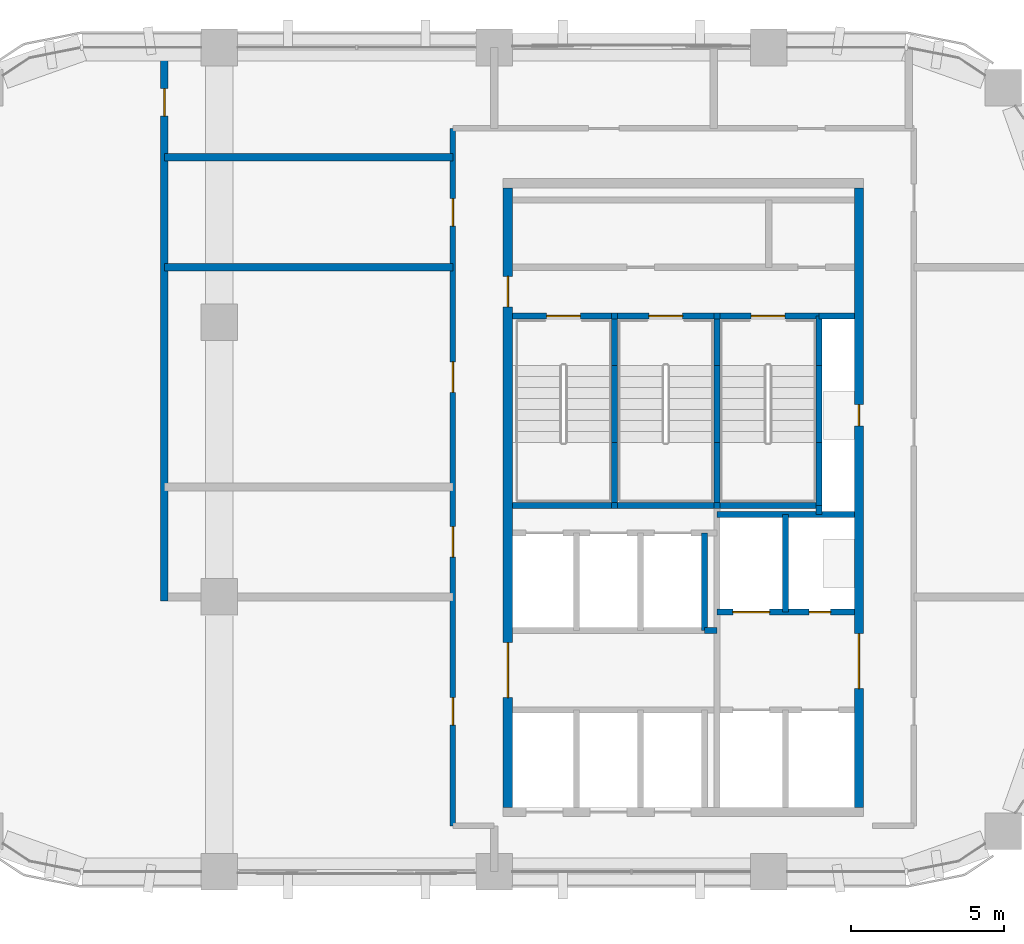
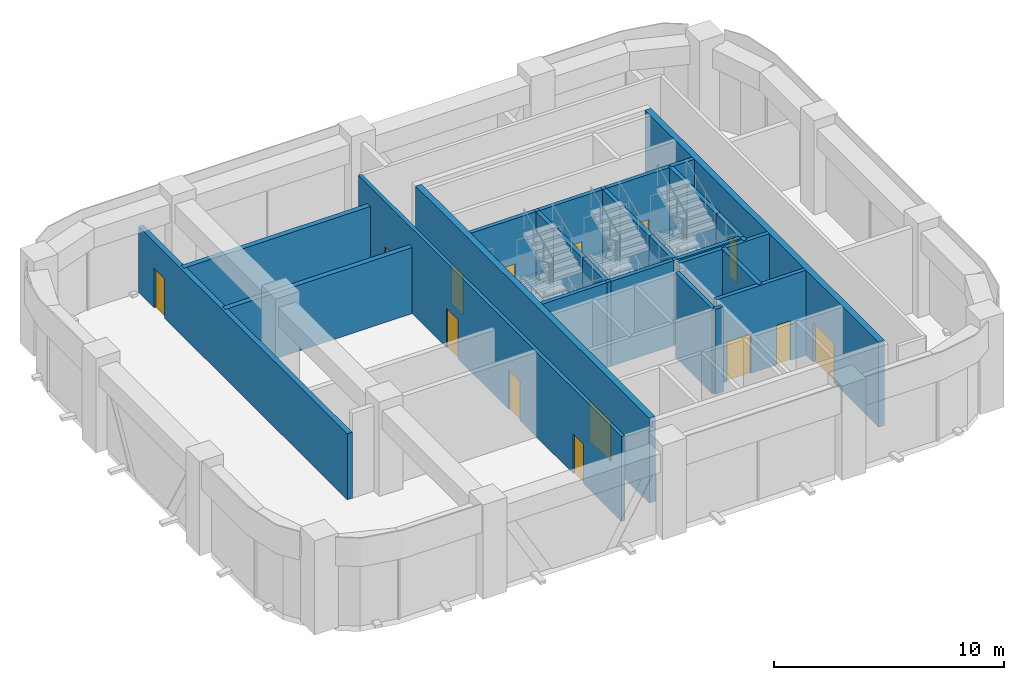
# One storey, part 8 of 11: 32 walls, 14 doors, 14 openings.
"""IFC4 building model written with IfcOpenShell, lengths in metres."""

from ifc_helpers import new_model, si_unit, direction, frame, frame_2d, origin, place, context, subcontext, project, spatial, rectangle, extrude, material, layer, layer_set, type_object, element, fill, save


model = new_model("IFC4")

# Units and contexts
model_context = context("Model", 3, precision=1e-05, world=origin(), true_north=direction((0.0, 1.0)))
body_context = subcontext(model_context, "Body", "Model", "MODEL_VIEW")
ifc_project = project(units=[si_unit("LENGTHUNIT", "METRE"), si_unit("AREAUNIT", "SQUARE_METRE"), si_unit("VOLUMEUNIT", "CUBIC_METRE"), si_unit("PLANEANGLEUNIT", "RADIAN"), si_unit("MASSUNIT", "GRAM", prefix="KILO")], contexts=[model_context])

# Site, building, storey
site_placement = place(None, origin())
site = spatial("IfcSite", under=ifc_project, at=site_placement, CompositionType="ELEMENT")
building_placement = place(site_placement, origin())
building = spatial("IfcBuilding", under=site, at=building_placement, Name="Tessera Arch", CompositionType="ELEMENT")
storey_placement = place(building_placement, frame((0.0, 0.0, 290.199951171875)))
storey = spatial("IfcBuildingStorey", under=building, at=storey_placement, Name="L70", CompositionType="ELEMENT", Elevation=290.199951171875)

# Wall
ifc_material_1 = material(Name="Gypsum board on steel stud", Category="steel")
ifc_layer_1 = layer(ifc_material_1, 0.125)
ifc_layer_set_1 = layer_set([ifc_layer_1], Name="Core partition 125 EI 60")
wall_type_1 = type_object("IfcWallType", Name="Core partition 125 EI 60", PredefinedType="PARTITIONING", material=ifc_layer_set_1)
wall_1_placement = place(storey_placement, frame((42.89990234375, 34.89990234375, 0.0), z_axis=(0.0, 0.0, 1.0), x_axis=(1.0, 0.0, 0.0)))
element("IfcWall", 1, at=wall_1_placement, inside=storey, type_object=wall_type_1, Name="L70 C1 partition wall 22", PredefinedType="PARTITIONING", context=body_context, shape_type="SweptSolid", body=[
    extrude(rectangle(XDim=0.400146484375, YDim=0.199951171875, at=frame_2d((0.2001953125, 0.0))), origin(), (0.0, 0.0, 1.0), 4.5),
])

# Wall, openings, doors
ifc_material_2 = material(Name="Concrete C50/60", Category="concrete")
ifc_layer_2 = layer(ifc_material_2, 0.300048828125)
ifc_layer_set_2 = layer_set([ifc_layer_2], Name="Core shell wall 300 C50-60")
wall_type_2 = type_object("IfcWallType", Name="Core shell wall 300 C50-60", PredefinedType="SHEAR", material=ifc_layer_set_2)
wall_2_placement = place(storey_placement, frame((36.449951171875, 29.10009765625, 0.0), z_axis=(0.0, 0.0, 1.0), x_axis=(0.0, 1.0, 0.0)))
wall_2 = element("IfcWall", 2, at=wall_2_placement, inside=storey, type_object=wall_type_2, Name="L70 C1 core wall W", PredefinedType="SHEAR", context=body_context, shape_type="SweptSolid", body=[
    extrude(rectangle(XDim=20.2998046875, YDim=0.300048828125, at=frame_2d((10.14990234375, 0.0))), origin(), (0.0, 0.0, 1.0), 4.5),
])
opening_1_placement = place(wall_2_placement, frame((3.60009765625, 0.0, 0.0)))
opening_1 = element("IfcOpeningElement", 3, at=opening_1_placement, cuts=wall_2, Name="Opening L70-C10", PredefinedType="OPENING", context=body_context, shape_type="SweptSolid", body=[
    extrude(rectangle(XDim=1.800048828125, YDim=2.10009765625, at=frame_2d((0.89990234375, 1.050048828125))), frame((0.0, 0.159912109375, 0.0), z_axis=(0.0, -1.0, 0.0), x_axis=(1.0, 0.0, 0.0)), (0.0, 0.0, 1.0), 0.320068359375),
])
opening_2_placement = place(wall_2_placement, frame((16.39990234375, 0.0, 0.0)))
opening_2 = element("IfcOpeningElement", 4, at=opening_2_placement, cuts=wall_2, Name="Opening L70-C17", PredefinedType="OPENING", context=body_context, shape_type="SweptSolid", body=[
    extrude(rectangle(XDim=1.0, YDim=2.10009765625, at=frame_2d((0.5, 1.050048828125))), frame((0.0, 0.159912109375, 0.0), z_axis=(0.0, -1.0, 0.0), x_axis=(1.0, 0.0, 0.0)), (0.0, 0.0, 1.0), 0.320068359375),
])
ifc_material_3 = material(Name="Steel door leaf", Category="steel")
door_type_1 = type_object("IfcDoorType", Name="Corridor door FD60 1000 x 2100", OperationType="SINGLE_SWING_LEFT", PredefinedType="DOOR", material=ifc_material_3)
door_1_placement = place(opening_2_placement, origin())
door_1 = element("IfcDoor", 5, at=door_1_placement, inside=storey, type_object=door_type_1, Name="L70 C1 door 17 C17 type D12", OperationType="SINGLE_SWING_RIGHT", OverallHeight=2.10009765625, OverallWidth=1.0, PredefinedType="DOOR", context=body_context, shape_type="SweptSolid", body=[
    extrude(rectangle(XDim=1.0, YDim=2.10009765625, at=frame_2d((0.5, 1.050048828125))), frame((0.0, 0.02490234375, 0.0), z_axis=(0.0, -1.0, 0.0), x_axis=(1.0, 0.0, 0.0)), (0.0, 0.0, 1.0), 0.050048828125),
])
fill(opening_2, door_1)
ifc_material_4 = material(Name="Glazed steel door leaf", Category="steel")
door_type_2 = type_object("IfcDoorType", Name="Lobby double door FD30S 1800 x 2100", OperationType="DOUBLE_DOOR_SINGLE_SWING", PredefinedType="DOOR", material=ifc_material_4)
door_2_placement = place(opening_1_placement, origin())
door_2 = element("IfcDoor", 6, at=door_2_placement, inside=storey, type_object=door_type_2, Name="L70 C1 door 10 C10 type D06", OperationType="DOUBLE_DOOR_SINGLE_SWING", OverallHeight=2.10009765625, OverallWidth=1.800048828125, PredefinedType="DOOR", context=body_context, shape_type="SweptSolid", body=[
    extrude(rectangle(XDim=1.800048828125, YDim=2.10009765625, at=frame_2d((0.89990234375, 1.050048828125))), frame((0.0, 0.02490234375, 0.0), z_axis=(0.0, -1.0, 0.0), x_axis=(1.0, 0.0, 0.0)), (0.0, 0.0, 1.0), 0.050048828125),
])
fill(opening_1, door_2)

wall_3_placement = place(storey_placement, frame((47.949951171875, 29.10009765625, 0.0), z_axis=(0.0, 0.0, 1.0), x_axis=(0.0, 1.0, 0.0)))
wall_3 = element("IfcWall", 7, at=wall_3_placement, inside=storey, type_object=wall_type_2, Name="L70 C1 core wall E", PredefinedType="SHEAR", context=body_context, shape_type="SweptSolid", body=[
    extrude(rectangle(XDim=20.2998046875, YDim=0.300048828125, at=frame_2d((10.14990234375, 0.0))), origin(), (0.0, 0.0, 1.0), 4.5),
])
opening_3_placement = place(wall_3_placement, frame((12.5, 0.0, 0.0)))
opening_3 = element("IfcOpeningElement", 8, at=opening_3_placement, cuts=wall_3, Name="Opening L70-C14", PredefinedType="OPENING", context=body_context, shape_type="SweptSolid", body=[
    extrude(rectangle(XDim=0.699951171875, YDim=2.10009765625, at=frame_2d((0.35009765625, 1.050048828125))), frame((0.0, 0.159912109375, 0.0), z_axis=(0.0, -1.0, 0.0), x_axis=(1.0, 0.0, 0.0)), (0.0, 0.0, 1.0), 0.320068359375),
])
opening_4_placement = place(wall_3_placement, frame((3.89990234375, 0.0, 0.0)))
opening_4 = element("IfcOpeningElement", 9, at=opening_4_placement, cuts=wall_3, Name="Opening L70-C15", PredefinedType="OPENING", context=body_context, shape_type="SweptSolid", body=[
    extrude(rectangle(XDim=1.800048828125, YDim=2.10009765625, at=frame_2d((0.89990234375, 1.050048828125))), frame((0.0, 0.159912109375, 0.0), z_axis=(0.0, -1.0, 0.0), x_axis=(1.0, 0.0, 0.0)), (0.0, 0.0, 1.0), 0.320068359375),
])
ifc_material_5 = material(Name="Glazed steel door leaf", Category="steel")
door_type_3 = type_object("IfcDoorType", Name="Lobby double door FD60 1800 x 2100", OperationType="DOUBLE_DOOR_SINGLE_SWING", PredefinedType="DOOR", material=ifc_material_5)
door_3_placement = place(opening_4_placement, origin())
door_3 = element("IfcDoor", 10, at=door_3_placement, inside=storey, type_object=door_type_3, Name="L70 C1 door 15 C15 type D19", OperationType="DOUBLE_DOOR_SINGLE_SWING", OverallHeight=2.10009765625, OverallWidth=1.800048828125, PredefinedType="DOOR", context=body_context, shape_type="SweptSolid", body=[
    extrude(rectangle(XDim=1.800048828125, YDim=2.10009765625, at=frame_2d((0.89990234375, 1.050048828125))), frame((0.0, 0.02490234375, 0.0), z_axis=(0.0, -1.0, 0.0), x_axis=(1.0, 0.0, 0.0)), (0.0, 0.0, 1.0), 0.050048828125),
])
fill(opening_4, door_3)
ifc_material_6 = material(Name="Steel door leaf", Category="steel")
door_type_4 = type_object("IfcDoorType", Name="Service shaft door FD60 700 x 2100", OperationType="SINGLE_SWING_LEFT", PredefinedType="DOOR", material=ifc_material_6)
door_4_placement = place(opening_3_placement, origin())
door_4 = element("IfcDoor", 11, at=door_4_placement, inside=storey, type_object=door_type_4, Name="L70 C1 door 14 C14 type D07", OperationType="SINGLE_SWING_RIGHT", OverallHeight=2.10009765625, OverallWidth=0.699951171875, PredefinedType="DOOR", context=body_context, shape_type="SweptSolid", body=[
    extrude(rectangle(XDim=0.699951171875, YDim=2.10009765625, at=frame_2d((0.35009765625, 1.050048828125))), frame((0.0, 0.02490234375, 0.0), z_axis=(0.0, -1.0, 0.0), x_axis=(1.0, 0.0, 0.0)), (0.0, 0.0, 1.0), 0.050048828125),
])
fill(opening_3, door_4)

ifc_material_7 = material(Name="Gypsum board on deep steel stud with mineral wool", Category="steel")
ifc_layer_3 = layer(ifc_material_7, 0.175048828125)
ifc_layer_set_3 = layer_set([ifc_layer_3], Name="Corridor wall 175 EI 60")
wall_type_3 = type_object("IfcWallType", Name="Corridor wall 175 EI 60", PredefinedType="PARTITIONING", material=ifc_layer_set_3)
wall_4_placement = place(storey_placement, frame((34.64990234375, 28.5, 0.0), z_axis=(0.0, 0.0, 1.0), x_axis=(0.0, 1.0, 0.0)))
wall_4 = element("IfcWall", 12, at=wall_4_placement, inside=storey, type_object=wall_type_3, Name="L70 partition 4", PredefinedType="PARTITIONING", context=body_context, shape_type="SweptSolid", body=[
    extrude(rectangle(XDim=22.85009765625, YDim=0.175048828125, at=frame_2d((11.425048828125, 0.0))), origin(), (0.0, 0.0, 1.0), 4.5),
])
opening_5_placement = place(wall_4_placement, frame((3.300048828125, 0.0, 0.0)))
opening_5 = element("IfcOpeningElement", 13, at=opening_5_placement, cuts=wall_4, Name="Opening L70-D002", PredefinedType="OPENING", context=body_context, shape_type="SweptSolid", body=[
    extrude(rectangle(XDim=0.89990234375, YDim=2.10009765625, at=frame_2d((0.449951171875, 1.050048828125))), frame((0.0, 0.097412109375, 0.0), z_axis=(0.0, -1.0, 0.0), x_axis=(1.0, 0.0, 0.0)), (0.0, 0.0, 1.0), 0.195068359375),
])
opening_6_placement = place(wall_4_placement, frame((8.800048828125, 0.0, 0.0)))
opening_6 = element("IfcOpeningElement", 14, at=opening_6_placement, cuts=wall_4, Name="Opening L70-D003", PredefinedType="OPENING", context=body_context, shape_type="SweptSolid", body=[
    extrude(rectangle(XDim=1.0, YDim=2.10009765625, at=frame_2d((0.5, 1.050048828125))), frame((0.0, 0.097412109375, 0.0), z_axis=(0.0, -1.0, 0.0), x_axis=(1.0, 0.0, 0.0)), (0.0, 0.0, 1.0), 0.195068359375),
])
opening_7_placement = place(wall_4_placement, frame((14.199951171875, 0.0, 0.0)))
opening_7 = element("IfcOpeningElement", 15, at=opening_7_placement, cuts=wall_4, Name="Opening L70-D005", PredefinedType="OPENING", context=body_context, shape_type="SweptSolid", body=[
    extrude(rectangle(XDim=1.0, YDim=2.10009765625, at=frame_2d((0.5, 1.050048828125))), frame((0.0, 0.097412109375, 0.0), z_axis=(0.0, -1.0, 0.0), x_axis=(1.0, 0.0, 0.0)), (0.0, 0.0, 1.0), 0.195068359375),
])
opening_8_placement = place(wall_4_placement, frame((19.64990234375, 0.0, 0.0)))
opening_8 = element("IfcOpeningElement", 16, at=opening_8_placement, cuts=wall_4, Name="Opening L70-D006", PredefinedType="OPENING", context=body_context, shape_type="SweptSolid", body=[
    extrude(rectangle(XDim=0.89990234375, YDim=2.10009765625, at=frame_2d((0.449951171875, 1.050048828125))), frame((0.0, 0.097412109375, 0.0), z_axis=(0.0, -1.0, 0.0), x_axis=(1.0, 0.0, 0.0)), (0.0, 0.0, 1.0), 0.195068359375),
])
ifc_material_8 = material(Name="Fire-rated door leaf")
door_type_5 = type_object("IfcDoorType", Name="Entrance door FD30S 1000 x 2100", OperationType="SINGLE_SWING_LEFT", PredefinedType="DOOR", material=ifc_material_8)
door_5_placement = place(opening_6_placement, origin())
door_5 = element("IfcDoor", 17, at=door_5_placement, inside=storey, type_object=door_type_5, Name="L70 door D003 type D03", OperationType="SINGLE_SWING_LEFT", OverallHeight=2.10009765625, OverallWidth=1.0, PredefinedType="DOOR", context=body_context, shape_type="SweptSolid", body=[
    extrude(rectangle(XDim=1.0, YDim=2.10009765625, at=frame_2d((0.5, 1.050048828125))), frame((0.0, 0.02490234375, 0.0), z_axis=(0.0, -1.0, 0.0), x_axis=(1.0, 0.0, 0.0)), (0.0, 0.0, 1.0), 0.050048828125),
])
fill(opening_6, door_5)
door_6_placement = place(opening_7_placement, origin())
door_6 = element("IfcDoor", 18, at=door_6_placement, inside=storey, type_object=door_type_5, Name="L70 door D005 type D03", OperationType="SINGLE_SWING_LEFT", OverallHeight=2.10009765625, OverallWidth=1.0, PredefinedType="DOOR", context=body_context, shape_type="SweptSolid", body=[
    extrude(rectangle(XDim=1.0, YDim=2.10009765625, at=frame_2d((0.5, 1.050048828125))), frame((0.0, 0.02490234375, 0.0), z_axis=(0.0, -1.0, 0.0), x_axis=(1.0, 0.0, 0.0)), (0.0, 0.0, 1.0), 0.050048828125),
])
fill(opening_7, door_6)
ifc_material_9 = material(Name="Timber door leaf", Category="wood")
door_type_6 = type_object("IfcDoorType", Name="Room door 900 x 2100", OperationType="SINGLE_SWING_LEFT", PredefinedType="DOOR", material=ifc_material_9)
door_7_placement = place(opening_5_placement, origin())
door_7 = element("IfcDoor", 19, at=door_7_placement, inside=storey, type_object=door_type_6, Name="L70 door D002 type D01", OperationType="SINGLE_SWING_RIGHT", OverallHeight=2.10009765625, OverallWidth=0.89990234375, PredefinedType="DOOR", context=body_context, shape_type="SweptSolid", body=[
    extrude(rectangle(XDim=0.89990234375, YDim=2.10009765625, at=frame_2d((0.449951171875, 1.050048828125))), frame((0.0, 0.02490234375, 0.0), z_axis=(0.0, -1.0, 0.0), x_axis=(1.0, 0.0, 0.0)), (0.0, 0.0, 1.0), 0.050048828125),
])
fill(opening_5, door_7)
door_8_placement = place(opening_8_placement, origin())
door_8 = element("IfcDoor", 20, at=door_8_placement, inside=storey, type_object=door_type_6, Name="L70 door D006 type D01", OperationType="SINGLE_SWING_RIGHT", OverallHeight=2.10009765625, OverallWidth=0.89990234375, PredefinedType="DOOR", context=body_context, shape_type="SweptSolid", body=[
    extrude(rectangle(XDim=0.89990234375, YDim=2.10009765625, at=frame_2d((0.449951171875, 1.050048828125))), frame((0.0, 0.02490234375, 0.0), z_axis=(0.0, -1.0, 0.0), x_axis=(1.0, 0.0, 0.0)), (0.0, 0.0, 1.0), 0.050048828125),
])
fill(opening_8, door_8)

# Walls
ifc_material_10 = material(Name="Double gypsum board on twin steel stud with acoustic mineral wool", Category="steel")
ifc_layer_4 = layer(ifc_material_10, 0.25)
ifc_layer_set_4 = layer_set([ifc_layer_4], Name="Party wall 250 EI 60")
wall_type_4 = type_object("IfcWallType", Name="Party wall 250 EI 60", PredefinedType="PARTITIONING", material=ifc_layer_set_4)
for number, where, z_axis, x_axis, name in (
    (21, (25.199951171875, 46.800048828125, 0.0), (0.0, 0.0, 1.0), (1.0, 0.0, 0.0), "L70 partition 9"),
    (22, (25.199951171875, 50.39990234375, 0.0), (0.0, 0.0, 1.0), (1.0, 0.0, 0.0), "L70 partition 11"),
):
    element("IfcWall", number, at=place(storey_placement, frame(where, z_axis=z_axis, x_axis=x_axis)), inside=storey, type_object=wall_type_4, Name=name, PredefinedType="PARTITIONING", context=body_context, shape_type="SweptSolid", body=[
        extrude(rectangle(XDim=9.449951171875, YDim=0.25, at=frame_2d((4.72509765625, 0.0))), origin(), (0.0, 0.0, 1.0), 3.5),
    ])

# Wall, opening, door
wall_5_placement = place(storey_placement, frame((25.199951171875, 35.875, 0.0), z_axis=(0.0, 0.0, 1.0), x_axis=(0.0, 1.0, 0.0)))
wall_5 = element("IfcWall", 23, at=wall_5_placement, inside=storey, type_object=wall_type_4, Name="L70 partition 12", PredefinedType="PARTITIONING", context=body_context, shape_type="SweptSolid", body=[
    extrude(rectangle(XDim=18.125, YDim=0.25, at=frame_2d((9.0625, 0.0))), origin(), (0.0, 0.0, 1.0), 3.5),
])
opening_9_placement = place(wall_5_placement, frame((15.875, 0.0, 0.0)))
opening_9 = element("IfcOpeningElement", 24, at=opening_9_placement, cuts=wall_5, Name="Opening L70-D010", PredefinedType="OPENING", context=body_context, shape_type="SweptSolid", body=[
    extrude(rectangle(XDim=0.89990234375, YDim=2.10009765625, at=frame_2d((0.449951171875, 1.050048828125))), frame((0.0, 0.135009765625, 0.0), z_axis=(0.0, -1.0, 0.0), x_axis=(1.0, 0.0, 0.0)), (0.0, 0.0, 1.0), 0.27001953125),
])
door_9_placement = place(opening_9_placement, origin())
door_9 = element("IfcDoor", 25, at=door_9_placement, inside=storey, type_object=door_type_6, Name="L70 door D010 type D01", OperationType="SINGLE_SWING_LEFT", OverallHeight=2.10009765625, OverallWidth=0.89990234375, PredefinedType="DOOR", context=body_context, shape_type="SweptSolid", body=[
    extrude(rectangle(XDim=0.89990234375, YDim=2.10009765625, at=frame_2d((0.449951171875, 1.050048828125))), frame((0.0, 0.02490234375, 0.0), z_axis=(0.0, -1.0, 0.0), x_axis=(1.0, 0.0, 0.0)), (0.0, 0.0, 1.0), 0.050048828125),
])
fill(opening_9, door_9)

# Walls
ifc_material_11 = material(Name="Concrete C40/50", Category="concrete")
ifc_layer_5 = layer(ifc_material_11, 0.199951171875)
ifc_layer_set_5 = layer_set([ifc_layer_5], Name="Shaft wall 200 EI 120")
wall_type_5 = type_object("IfcWallType", Name="Shaft wall 200 EI 120", PredefinedType="SOLIDWALL", material=ifc_layer_set_5)
wall_6_placement = place(storey_placement, frame((42.89990234375, 34.89990234375, 0.0), z_axis=(0.0, 0.0, 1.0), x_axis=(0.0, 1.0, 0.0)))
element("IfcWall", 26, at=wall_6_placement, inside=storey, type_object=wall_type_5, Name="L70 C1 shaft wall 9", PredefinedType="SOLIDWALL", context=body_context, shape_type="SweptSolid", body=[
    extrude(rectangle(XDim=3.2001953125, YDim=0.199951171875, at=frame_2d((1.60009765625, 0.0))), origin(), (0.0, 0.0, 1.0), 4.5),
])
wall_7_placement = place(storey_placement, frame((45.550048828125, 35.5, 0.0), z_axis=(0.0, 0.0, 1.0), x_axis=(0.0, 1.0, 0.0)))
element("IfcWall", 27, at=wall_7_placement, inside=storey, type_object=wall_type_5, Name="L70 C1 shaft wall 16", PredefinedType="SOLIDWALL", context=body_context, shape_type="SweptSolid", body=[
    extrude(rectangle(XDim=3.199951171875, YDim=0.199951171875, at=frame_2d((1.60009765625, 0.0))), origin(), (0.0, 0.0, 1.0), 4.5),
])
wall_8_placement = place(storey_placement, frame((46.64990234375, 38.699951171875, 0.0), z_axis=(0.0, 0.0, 1.0), x_axis=(0.0, 1.0, 0.0)))
element("IfcWall", 28, at=wall_8_placement, inside=storey, type_object=wall_type_5, Name="L70 C1 shaft wall 17", PredefinedType="SOLIDWALL", context=body_context, shape_type="SweptSolid", body=[
    extrude(rectangle(XDim=0.300048828125, YDim=0.199951171875, at=frame_2d((0.14990234375, 0.0))), origin(), (0.0, 0.0, 1.0), 4.5),
])

# Wall, openings, doors
wall_9_placement = place(storey_placement, frame((43.300048828125, 35.5, 0.0), z_axis=(0.0, 0.0, 1.0), x_axis=(1.0, 0.0, 0.0)))
wall_9 = element("IfcWall", 29, at=wall_9_placement, inside=storey, type_object=wall_type_5, Name="L70 C1 shaft wall 24", PredefinedType="SOLIDWALL", context=body_context, shape_type="SweptSolid", body=[
    extrude(rectangle(XDim=4.5, YDim=0.199951171875, at=frame_2d((2.25, 0.0))), origin(), (0.0, 0.0, 1.0), 4.5),
])
opening_10_placement = place(wall_9_placement, frame((0.52490234375, 0.0, 0.0)))
opening_10 = element("IfcOpeningElement", 30, at=opening_10_placement, cuts=wall_9, Name="Opening L70-C09", PredefinedType="OPENING", context=body_context, shape_type="SweptSolid", body=[
    extrude(rectangle(XDim=1.199951171875, YDim=2.10009765625, at=frame_2d((0.60009765625, 1.050048828125))), frame((0.0, 0.10986328125, 0.0), z_axis=(0.0, -1.0, 0.0), x_axis=(1.0, 0.0, 0.0)), (0.0, 0.0, 1.0), 0.219970703125),
])
opening_11_placement = place(wall_9_placement, frame((3.02490234375, 0.0, 0.0)))
opening_11 = element("IfcOpeningElement", 31, at=opening_11_placement, cuts=wall_9, Name="Opening L70-C16", PredefinedType="OPENING", context=body_context, shape_type="SweptSolid", body=[
    extrude(rectangle(XDim=0.699951171875, YDim=2.10009765625, at=frame_2d((0.35009765625, 1.050048828125))), frame((0.0, 0.10986328125, 0.0), z_axis=(0.0, -1.0, 0.0), x_axis=(1.0, 0.0, 0.0)), (0.0, 0.0, 1.0), 0.219970703125),
])
door_10_placement = place(opening_11_placement, origin())
door_10 = element("IfcDoor", 32, at=door_10_placement, inside=storey, type_object=door_type_4, Name="L70 C1 door 16 C16 type D07", OperationType="SINGLE_SWING_RIGHT", OverallHeight=2.10009765625, OverallWidth=0.699951171875, PredefinedType="DOOR", context=body_context, shape_type="SweptSolid", body=[
    extrude(rectangle(XDim=0.699951171875, YDim=2.10009765625, at=frame_2d((0.35009765625, 1.050048828125))), frame((0.0, 0.02490234375, 0.0), z_axis=(0.0, -1.0, 0.0), x_axis=(1.0, 0.0, 0.0)), (0.0, 0.0, 1.0), 0.050048828125),
])
fill(opening_11, door_10)
ifc_material_12 = material(Name="Stainless steel AISI 304", Category="steel")
door_type_7 = type_object("IfcDoorType", Name="Sliding landing door 1200 x 2100", OperationType="SLIDING_TO_LEFT", PredefinedType="DOOR", material=ifc_material_12)
door_11_placement = place(opening_10_placement, origin())
door_11 = element("IfcDoor", 33, at=door_11_placement, inside=storey, type_object=door_type_7, Name="L70 SV2 lift landing door C09 type LD", OperationType="SLIDING_TO_LEFT", OverallHeight=2.10009765625, OverallWidth=1.199951171875, PredefinedType="DOOR", context=body_context, shape_type="SweptSolid", body=[
    extrude(rectangle(XDim=1.199951171875, YDim=2.10009765625, at=frame_2d((0.60009765625, 1.050048828125))), frame((0.0, 0.02490234375, 0.0), z_axis=(0.0, -1.0, 0.0), x_axis=(1.0, 0.0, 0.0)), (0.0, 0.0, 1.0), 0.050048828125),
])
fill(opening_10, door_11)

# Walls
wall_10_placement = place(storey_placement, frame((43.300048828125, 38.699951171875, 0.0), z_axis=(0.0, 0.0, 1.0), x_axis=(1.0, 0.0, 0.0)))
element("IfcWall", 34, at=wall_10_placement, inside=storey, type_object=wall_type_5, Name="L70 C1 shaft wall 26", PredefinedType="SOLIDWALL", context=body_context, shape_type="SweptSolid", body=[
    extrude(rectangle(XDim=4.5, YDim=0.199951171875, at=frame_2d((2.25, 0.0))), origin(), (0.0, 0.0, 1.0), 4.5),
])
wall_11_placement = place(storey_placement, frame((46.64990234375, 45.199951171875, 0.0), z_axis=(0.0, 0.0, 1.0), x_axis=(1.0, 0.0, 0.0)))
element("IfcWall", 35, at=wall_11_placement, inside=storey, type_object=wall_type_5, Name="L70 C1 shaft wall 32", PredefinedType="SOLIDWALL", context=body_context, shape_type="SweptSolid", body=[
    extrude(rectangle(XDim=1.150146484375, YDim=0.199951171875, at=frame_2d((0.5751953125, 0.0))), origin(), (0.0, 0.0, 1.0), 4.5),
])
ifc_material_13 = material(Name="Concrete C40/50", Category="concrete")
ifc_layer_6 = layer(ifc_material_13, 0.199951171875)
ifc_layer_set_6 = layer_set([ifc_layer_6], Name="Stair well wall 200 REI 180")
wall_type_6 = type_object("IfcWallType", Name="Stair well wall 200 REI 180", PredefinedType="SOLIDWALL", material=ifc_layer_set_6)
wall_12_placement = place(storey_placement, frame((39.949951171875, 39.0, 0.0), z_axis=(0.0, 0.0, 1.0), x_axis=(0.0, 1.0, 0.0)))
element("IfcWall", 36, at=wall_12_placement, inside=storey, type_object=wall_type_6, Name="L70 C1 shaft wall 3", PredefinedType="SOLIDWALL", context=body_context, shape_type="SweptSolid", body=[
    extrude(rectangle(XDim=2.06005859375, YDim=0.199951171875, at=frame_2d((1.030029296875, 0.0))), origin(), (0.0, 0.0, 1.0), 4.5),
])
wall_13_placement = place(storey_placement, frame((39.949951171875, 41.06005859375, 0.0), z_axis=(0.0, 0.0, 1.0), x_axis=(0.0, 1.0, 0.0)))
element("IfcWall", 37, at=wall_13_placement, inside=storey, type_object=wall_type_6, Name="L70 C1 shaft wall 4", PredefinedType="SOLIDWALL", context=body_context, shape_type="SweptSolid", body=[
    extrude(rectangle(XDim=2.52001953125, YDim=0.199951171875, at=frame_2d((1.260009765625, 0.0))), origin(), (0.0, 0.0, 1.0), 4.5),
])
wall_14_placement = place(storey_placement, frame((39.949951171875, 43.580078125, 0.0), z_axis=(0.0, 0.0, 1.0), x_axis=(0.0, 1.0, 0.0)))
element("IfcWall", 38, at=wall_14_placement, inside=storey, type_object=wall_type_6, Name="L70 C1 shaft wall 5", PredefinedType="SOLIDWALL", context=body_context, shape_type="SweptSolid", body=[
    extrude(rectangle(XDim=1.619873046875, YDim=0.199951171875, at=frame_2d((0.81005859375, 0.0))), origin(), (0.0, 0.0, 1.0), 4.5),
])
wall_15_placement = place(storey_placement, frame((43.300048828125, 39.0, 0.0), z_axis=(0.0, 0.0, 1.0), x_axis=(0.0, 1.0, 0.0)))
element("IfcWall", 39, at=wall_15_placement, inside=storey, type_object=wall_type_6, Name="L70 C1 shaft wall 11", PredefinedType="SOLIDWALL", context=body_context, shape_type="SweptSolid", body=[
    extrude(rectangle(XDim=2.06005859375, YDim=0.199951171875, at=frame_2d((1.030029296875, 0.0))), origin(), (0.0, 0.0, 1.0), 4.5),
])
wall_16_placement = place(storey_placement, frame((43.300048828125, 41.06005859375, 0.0), z_axis=(0.0, 0.0, 1.0), x_axis=(0.0, 1.0, 0.0)))
element("IfcWall", 40, at=wall_16_placement, inside=storey, type_object=wall_type_6, Name="L70 C1 shaft wall 12", PredefinedType="SOLIDWALL", context=body_context, shape_type="SweptSolid", body=[
    extrude(rectangle(XDim=2.52001953125, YDim=0.199951171875, at=frame_2d((1.260009765625, 0.0))), origin(), (0.0, 0.0, 1.0), 4.5),
])
wall_17_placement = place(storey_placement, frame((43.300048828125, 43.580078125, 0.0), z_axis=(0.0, 0.0, 1.0), x_axis=(0.0, 1.0, 0.0)))
element("IfcWall", 41, at=wall_17_placement, inside=storey, type_object=wall_type_6, Name="L70 C1 shaft wall 13", PredefinedType="SOLIDWALL", context=body_context, shape_type="SweptSolid", body=[
    extrude(rectangle(XDim=1.619873046875, YDim=0.199951171875, at=frame_2d((0.81005859375, 0.0))), origin(), (0.0, 0.0, 1.0), 4.5),
])
wall_18_placement = place(storey_placement, frame((46.64990234375, 39.0, 0.0), z_axis=(0.0, 0.0, 1.0), x_axis=(0.0, 1.0, 0.0)))
element("IfcWall", 42, at=wall_18_placement, inside=storey, type_object=wall_type_6, Name="L70 C1 shaft wall 18", PredefinedType="SOLIDWALL", context=body_context, shape_type="SweptSolid", body=[
    extrude(rectangle(XDim=2.06005859375, YDim=0.199951171875, at=frame_2d((1.030029296875, 0.0))), origin(), (0.0, 0.0, 1.0), 4.5),
])
wall_19_placement = place(storey_placement, frame((46.64990234375, 41.06005859375, 0.0), z_axis=(0.0, 0.0, 1.0), x_axis=(0.0, 1.0, 0.0)))
element("IfcWall", 43, at=wall_19_placement, inside=storey, type_object=wall_type_6, Name="L70 C1 shaft wall 19", PredefinedType="SOLIDWALL", context=body_context, shape_type="SweptSolid", body=[
    extrude(rectangle(XDim=2.52001953125, YDim=0.199951171875, at=frame_2d((1.260009765625, 0.0))), origin(), (0.0, 0.0, 1.0), 4.5),
])
wall_20_placement = place(storey_placement, frame((46.64990234375, 43.580078125, 0.0), z_axis=(0.0, 0.0, 1.0), x_axis=(0.0, 1.0, 0.0)))
element("IfcWall", 44, at=wall_20_placement, inside=storey, type_object=wall_type_6, Name="L70 C1 shaft wall 20", PredefinedType="SOLIDWALL", context=body_context, shape_type="SweptSolid", body=[
    extrude(rectangle(XDim=1.619873046875, YDim=0.199951171875, at=frame_2d((0.81005859375, 0.0))), origin(), (0.0, 0.0, 1.0), 4.5),
])
wall_21_placement = place(storey_placement, frame((36.60009765625, 39.0, 0.0), z_axis=(0.0, 0.0, 1.0), x_axis=(1.0, 0.0, 0.0)))
element("IfcWall", 45, at=wall_21_placement, inside=storey, type_object=wall_type_6, Name="L70 C1 shaft wall 27", PredefinedType="SOLIDWALL", context=body_context, shape_type="SweptSolid", body=[
    extrude(rectangle(XDim=3.25, YDim=0.199951171875, at=frame_2d((1.625, 0.0))), origin(), (0.0, 0.0, 1.0), 4.5),
])
wall_22_placement = place(storey_placement, frame((39.85009765625, 39.0, 0.0), z_axis=(0.0, 0.0, 1.0), x_axis=(1.0, 0.0, 0.0)))
element("IfcWall", 46, at=wall_22_placement, inside=storey, type_object=wall_type_6, Name="L70 C1 shaft wall 28", PredefinedType="SOLIDWALL", context=body_context, shape_type="SweptSolid", body=[
    extrude(rectangle(XDim=0.199951171875, YDim=0.199951171875, at=frame_2d((0.10009765625, 0.0))), origin(), (0.0, 0.0, 1.0), 4.5),
])
wall_23_placement = place(storey_placement, frame((40.050048828125, 39.0, 0.0), z_axis=(0.0, 0.0, 1.0), x_axis=(1.0, 0.0, 0.0)))
element("IfcWall", 47, at=wall_23_placement, inside=storey, type_object=wall_type_6, Name="L70 C1 shaft wall 29", PredefinedType="SOLIDWALL", context=body_context, shape_type="SweptSolid", body=[
    extrude(rectangle(XDim=3.14990234375, YDim=0.199951171875, at=frame_2d((1.574951171875, 0.0))), origin(), (0.0, 0.0, 1.0), 4.5),
])
wall_24_placement = place(storey_placement, frame((43.199951171875, 39.0, 0.0), z_axis=(0.0, 0.0, 1.0), x_axis=(1.0, 0.0, 0.0)))
element("IfcWall", 48, at=wall_24_placement, inside=storey, type_object=wall_type_6, Name="L70 C1 shaft wall 30", PredefinedType="SOLIDWALL", context=body_context, shape_type="SweptSolid", body=[
    extrude(rectangle(XDim=0.199951171875, YDim=0.199951171875, at=frame_2d((0.10009765625, 0.0))), origin(), (0.0, 0.0, 1.0), 4.5),
])
wall_25_placement = place(storey_placement, frame((43.39990234375, 39.0, 0.0), z_axis=(0.0, 0.0, 1.0), x_axis=(1.0, 0.0, 0.0)))
element("IfcWall", 49, at=wall_25_placement, inside=storey, type_object=wall_type_6, Name="L70 C1 shaft wall 31", PredefinedType="SOLIDWALL", context=body_context, shape_type="SweptSolid", body=[
    extrude(rectangle(XDim=3.25, YDim=0.199951171875, at=frame_2d((1.625, 0.0))), origin(), (0.0, 0.0, 1.0), 4.5),
])

# Wall, opening, door
wall_26_placement = place(storey_placement, frame((36.60009765625, 45.199951171875, 0.0), z_axis=(0.0, 0.0, 1.0), x_axis=(1.0, 0.0, 0.0)))
wall_26 = element("IfcWall", 50, at=wall_26_placement, inside=storey, type_object=wall_type_6, Name="L70 C1 shaft wall 33", PredefinedType="SOLIDWALL", context=body_context, shape_type="SweptSolid", body=[
    extrude(rectangle(XDim=3.25, YDim=0.199951171875, at=frame_2d((1.625, 0.0))), origin(), (0.0, 0.0, 1.0), 4.5),
])
opening_12_placement = place(wall_26_placement, frame((1.125, 0.0, 0.0)))
opening_12 = element("IfcOpeningElement", 51, at=opening_12_placement, cuts=wall_26, Name="Opening L70-C11", PredefinedType="OPENING", context=body_context, shape_type="SweptSolid", body=[
    extrude(rectangle(XDim=1.10009765625, YDim=2.10009765625, at=frame_2d((0.550048828125, 1.050048828125))), frame((0.0, 0.10986328125, 0.0), z_axis=(0.0, -1.0, 0.0), x_axis=(1.0, 0.0, 0.0)), (0.0, 0.0, 1.0), 0.219970703125),
])
ifc_material_14 = material(Name="Steel door leaf", Category="steel")
door_type_8 = type_object("IfcDoorType", Name="Stair door FD60 1100 x 2100", OperationType="SINGLE_SWING_LEFT", PredefinedType="DOOR", material=ifc_material_14)
door_12_placement = place(opening_12_placement, origin())
door_12 = element("IfcDoor", 52, at=door_12_placement, inside=storey, type_object=door_type_8, Name="L70 C1 door 11 C11 type D05", OperationType="SINGLE_SWING_RIGHT", OverallHeight=2.10009765625, OverallWidth=1.10009765625, PredefinedType="DOOR", context=body_context, shape_type="SweptSolid", body=[
    extrude(rectangle(XDim=1.10009765625, YDim=2.10009765625, at=frame_2d((0.550048828125, 1.050048828125))), frame((0.0, 0.02490234375, 0.0), z_axis=(0.0, -1.0, 0.0), x_axis=(1.0, 0.0, 0.0)), (0.0, 0.0, 1.0), 0.050048828125),
])
fill(opening_12, door_12)

# Wall
wall_27_placement = place(storey_placement, frame((39.85009765625, 45.199951171875, 0.0), z_axis=(0.0, 0.0, 1.0), x_axis=(1.0, 0.0, 0.0)))
element("IfcWall", 53, at=wall_27_placement, inside=storey, type_object=wall_type_6, Name="L70 C1 shaft wall 34", PredefinedType="SOLIDWALL", context=body_context, shape_type="SweptSolid", body=[
    extrude(rectangle(XDim=0.199951171875, YDim=0.199951171875, at=frame_2d((0.10009765625, 0.0))), origin(), (0.0, 0.0, 1.0), 4.5),
])

# Wall, opening, door
wall_28_placement = place(storey_placement, frame((40.050048828125, 45.199951171875, 0.0), z_axis=(0.0, 0.0, 1.0), x_axis=(1.0, 0.0, 0.0)))
wall_28 = element("IfcWall", 54, at=wall_28_placement, inside=storey, type_object=wall_type_6, Name="L70 C1 shaft wall 35", PredefinedType="SOLIDWALL", context=body_context, shape_type="SweptSolid", body=[
    extrude(rectangle(XDim=3.14990234375, YDim=0.199951171875, at=frame_2d((1.574951171875, 0.0))), origin(), (0.0, 0.0, 1.0), 4.5),
])
opening_13_placement = place(wall_28_placement, frame((1.02490234375, 0.0, 0.0)))
opening_13 = element("IfcOpeningElement", 55, at=opening_13_placement, cuts=wall_28, Name="Opening L70-C12", PredefinedType="OPENING", context=body_context, shape_type="SweptSolid", body=[
    extrude(rectangle(XDim=1.10009765625, YDim=2.10009765625, at=frame_2d((0.550048828125, 1.050048828125))), frame((0.0, 0.10986328125, 0.0), z_axis=(0.0, -1.0, 0.0), x_axis=(1.0, 0.0, 0.0)), (0.0, 0.0, 1.0), 0.219970703125),
])
door_13_placement = place(opening_13_placement, origin())
door_13 = element("IfcDoor", 56, at=door_13_placement, inside=storey, type_object=door_type_8, Name="L70 C1 door 12 C12 type D05", OperationType="SINGLE_SWING_LEFT", OverallHeight=2.10009765625, OverallWidth=1.10009765625, PredefinedType="DOOR", context=body_context, shape_type="SweptSolid", body=[
    extrude(rectangle(XDim=1.10009765625, YDim=2.10009765625, at=frame_2d((0.550048828125, 1.050048828125))), frame((0.0, 0.02490234375, 0.0), z_axis=(0.0, -1.0, 0.0), x_axis=(1.0, 0.0, 0.0)), (0.0, 0.0, 1.0), 0.050048828125),
])
fill(opening_13, door_13)

# Wall
wall_29_placement = place(storey_placement, frame((43.199951171875, 45.199951171875, 0.0), z_axis=(0.0, 0.0, 1.0), x_axis=(1.0, 0.0, 0.0)))
element("IfcWall", 57, at=wall_29_placement, inside=storey, type_object=wall_type_6, Name="L70 C1 shaft wall 36", PredefinedType="SOLIDWALL", context=body_context, shape_type="SweptSolid", body=[
    extrude(rectangle(XDim=0.199951171875, YDim=0.199951171875, at=frame_2d((0.10009765625, 0.0))), origin(), (0.0, 0.0, 1.0), 4.5),
])

# Wall, opening, door
wall_30_placement = place(storey_placement, frame((43.39990234375, 45.199951171875, 0.0), z_axis=(0.0, 0.0, 1.0), x_axis=(1.0, 0.0, 0.0)))
wall_30 = element("IfcWall", 58, at=wall_30_placement, inside=storey, type_object=wall_type_6, Name="L70 C1 shaft wall 37", PredefinedType="SOLIDWALL", context=body_context, shape_type="SweptSolid", body=[
    extrude(rectangle(XDim=3.25, YDim=0.199951171875, at=frame_2d((1.625, 0.0))), origin(), (0.0, 0.0, 1.0), 4.5),
])
opening_14_placement = place(wall_30_placement, frame((1.02490234375, 0.0, 0.0)))
opening_14 = element("IfcOpeningElement", 59, at=opening_14_placement, cuts=wall_30, Name="Opening L70-C13", PredefinedType="OPENING", context=body_context, shape_type="SweptSolid", body=[
    extrude(rectangle(XDim=1.10009765625, YDim=2.10009765625, at=frame_2d((0.550048828125, 1.050048828125))), frame((0.0, 0.10986328125, 0.0), z_axis=(0.0, -1.0, 0.0), x_axis=(1.0, 0.0, 0.0)), (0.0, 0.0, 1.0), 0.219970703125),
])
door_14_placement = place(opening_14_placement, origin())
door_14 = element("IfcDoor", 60, at=door_14_placement, inside=storey, type_object=door_type_8, Name="L70 C1 door 13 C13 type D05", OperationType="SINGLE_SWING_LEFT", OverallHeight=2.10009765625, OverallWidth=1.10009765625, PredefinedType="DOOR", context=body_context, shape_type="SweptSolid", body=[
    extrude(rectangle(XDim=1.10009765625, YDim=2.10009765625, at=frame_2d((0.550048828125, 1.050048828125))), frame((0.0, 0.02490234375, 0.0), z_axis=(0.0, -1.0, 0.0), x_axis=(1.0, 0.0, 0.0)), (0.0, 0.0, 1.0), 0.050048828125),
])
fill(opening_14, door_14)

save(model, "model.ifc")
